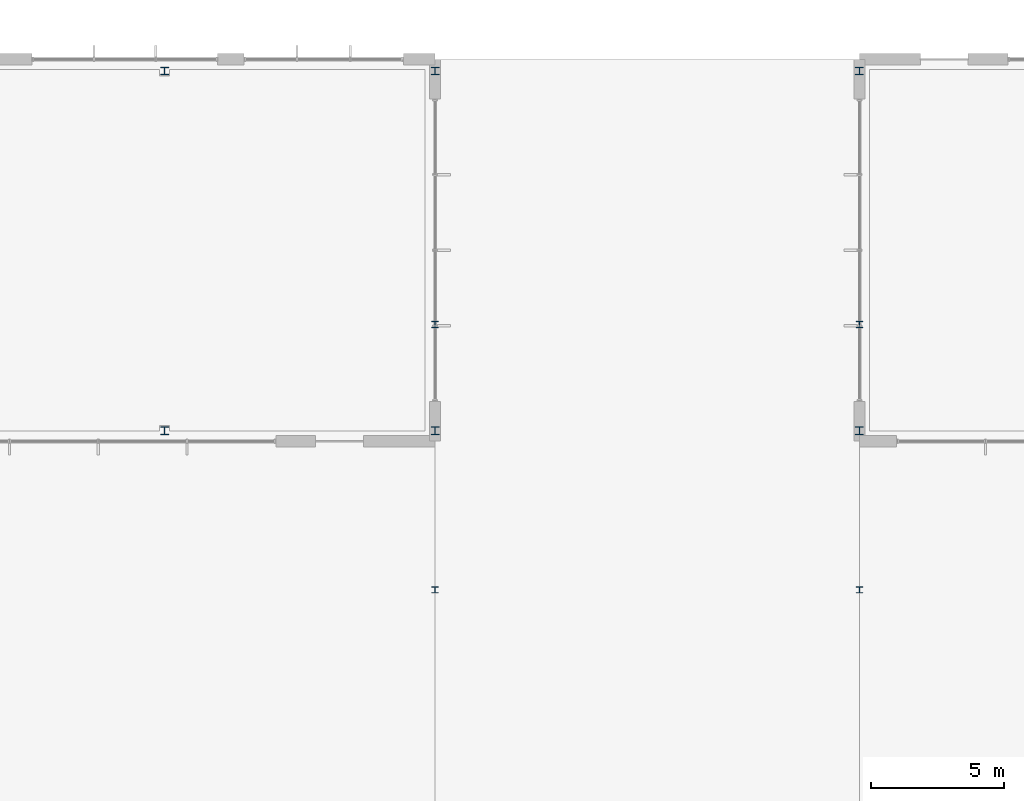
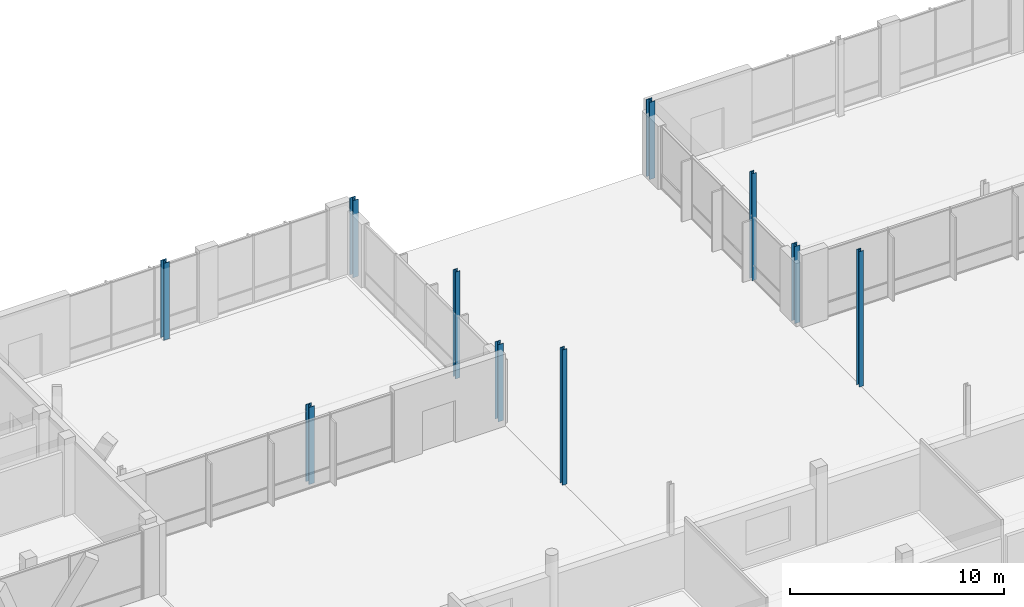
# One storey, part 11 of 233: 10 columns.
"""IFC4 building model written with IfcOpenShell, lengths in metres."""

from ifc_helpers import new_model, si_unit, direction, frame, origin, origin_2d, place, context, subcontext, project, spatial, i_section, extrude, material, material_profile, profile_set, type_object, element, save


model = new_model("IFC4")

# Units and contexts
model_context = context("Model", 3, precision=1e-05, world=origin(), true_north=direction((0.0, 1.0)))
body_context = subcontext(model_context, "Body", "Model", "MODEL_VIEW")
ifc_project = project(units=[si_unit("LENGTHUNIT", "METRE"), si_unit("AREAUNIT", "SQUARE_METRE"), si_unit("VOLUMEUNIT", "CUBIC_METRE"), si_unit("PLANEANGLEUNIT", "RADIAN"), si_unit("MASSUNIT", "GRAM", prefix="KILO")], contexts=[model_context])

# Site, building, storey
site_placement = place(None, origin())
site = spatial("IfcSite", under=ifc_project, at=site_placement, CompositionType="ELEMENT")
building_placement = place(site_placement, origin())
building = spatial("IfcBuilding", under=site, at=building_placement, Name="Zavelmont Quarter", CompositionType="ELEMENT")
storey_placement = place(building_placement, origin())
storey = spatial("IfcBuildingStorey", under=building, at=storey_placement, Name="L00", CompositionType="ELEMENT", Elevation=0.0)

# Columns
ifc_material = material(Name="Steel S355", Category="steel")
ifc_material_profile_1 = material_profile(ifc_material, i_section(OverallWidth=0.300048828125, OverallDepth=0.300048828125, WebThickness=0.010986328125, FlangeThickness=0.01904296875, at=origin_2d()), Name="HEB 300")
ifc_profile_set_1 = profile_set([ifc_material_profile_1], Name="Steel S355")
column_type_1 = type_object("IfcColumnType", Name="CL10", PredefinedType="COLUMN", material=ifc_profile_set_1)
for number, where, z_axis, x_axis, name in (
    (1, (65.800048828125, 102.0, 0.0), (0.0, 0.0, 1.0), (1.0, 0.0, 0.0), "L00 column CL10 at 10/Q"),
    (2, (65.800048828125, 115.56005859375, 0.0), (0.0, 0.0, 1.0), (1.0, 0.0, 0.0), "L00 column CL10 at 10/S"),
    (3, (76.0, 102.0, 0.0), (0.0, 0.0, 1.0), (1.0, 0.0, 0.0), "L00 column CL10 at 12/Q"),
    (4, (76.0, 115.56005859375, 0.0), (0.0, 0.0, 1.0), (1.0, 0.0, 0.0), "L00 column CL10 at 12/S"),
    (5, (92.0, 102.0, 0.0), (0.0, 0.0, 1.0), (1.0, 0.0, 0.0), "L00 column CL10 at 14/Q"),
    (6, (92.0, 115.56005859375, 0.0), (0.0, 0.0, 1.0), (1.0, 0.0, 0.0), "L00 column CL10 at 14/S"),
):
    element("IfcColumn", number, at=place(storey_placement, frame(where, z_axis=z_axis, x_axis=x_axis)), inside=storey, type_object=column_type_1, Name=name, PredefinedType="COLUMN", context=body_context, shape_type="SweptSolid", body=[
        extrude(i_section(OverallWidth=0.300048828125, OverallDepth=0.300048828125, WebThickness=0.010986328125, FlangeThickness=0.01904296875, at=origin_2d()), origin(), (0.0, 0.0, 1.0), 4.39990234375),
    ])
ifc_material_profile_2 = material_profile(ifc_material, i_section(OverallWidth=0.239990234375, OverallDepth=0.239990234375, WebThickness=0.010009765625, FlangeThickness=0.01708984375, at=origin_2d()), Name="HEB 240")
ifc_profile_set_2 = profile_set([ifc_material_profile_2], Name="Steel S355")
column_type_2 = type_object("IfcColumnType", Name="CL11", PredefinedType="COLUMN", material=ifc_profile_set_2)
for number, where, z_axis, x_axis, name in (
    (7, (76.0, 96.0, 0.0), (0.0, 0.0, 1.0), (1.0, 0.0, 0.0), "L00 column CL11 at 12/P"),
    (8, (92.0, 96.0, 0.0), (0.0, 0.0, 1.0), (1.0, 0.0, 0.0), "L00 column CL11 at 14/P"),
):
    element("IfcColumn", number, at=place(storey_placement, frame(where, z_axis=z_axis, x_axis=x_axis)), inside=storey, type_object=column_type_2, Name=name, PredefinedType="COLUMN", context=body_context, shape_type="SweptSolid", body=[
        extrude(i_section(OverallWidth=0.239990234375, OverallDepth=0.239990234375, WebThickness=0.010009765625, FlangeThickness=0.01708984375, at=origin_2d()), origin(), (0.0, 0.0, 1.0), 7.719970703125),
    ])
for number, where, z_axis, x_axis, name in (
    (9, (76.0, 106.0, 0.0), (0.0, 0.0, 1.0), (1.0, 0.0, 0.0), "L00 column CL11 at 12/Q"),
    (10, (92.0, 106.0, 0.0), (0.0, 0.0, 1.0), (1.0, 0.0, 0.0), "L00 column CL11 at 14/Q"),
):
    element("IfcColumn", number, at=place(storey_placement, frame(where, z_axis=z_axis, x_axis=x_axis)), inside=storey, type_object=column_type_2, Name=name, PredefinedType="COLUMN", context=body_context, shape_type="SweptSolid", body=[
        extrude(i_section(OverallWidth=0.239990234375, OverallDepth=0.239990234375, WebThickness=0.010009765625, FlangeThickness=0.01708984375, at=origin_2d()), origin(), (0.0, 0.0, 1.0), 6.10009765625),
    ])

save(model, "model.ifc")
